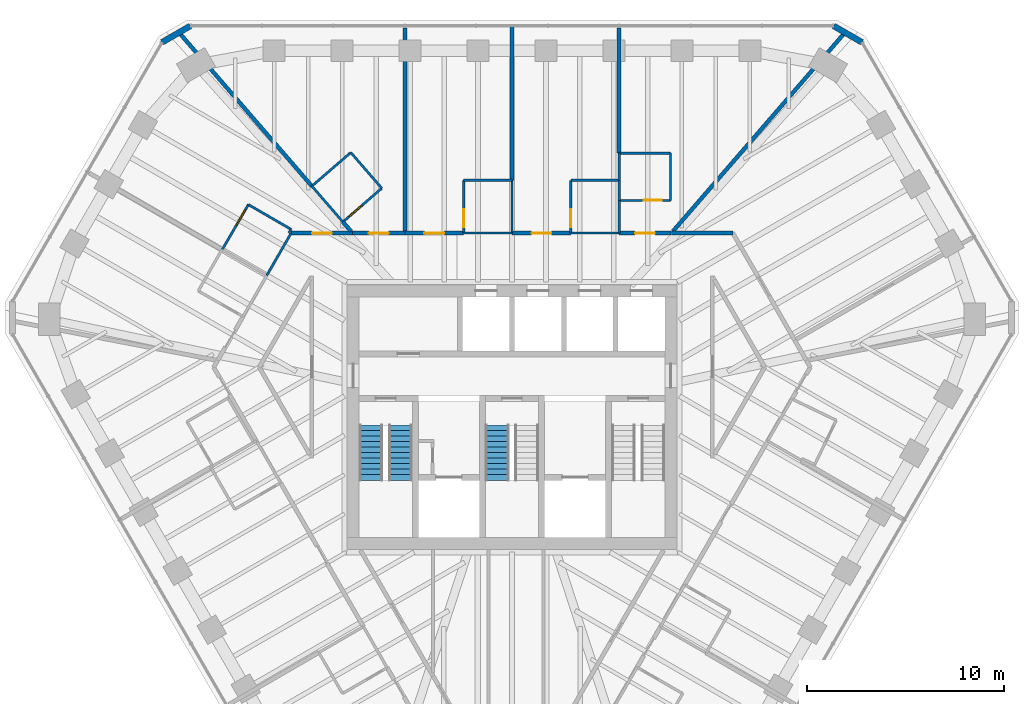
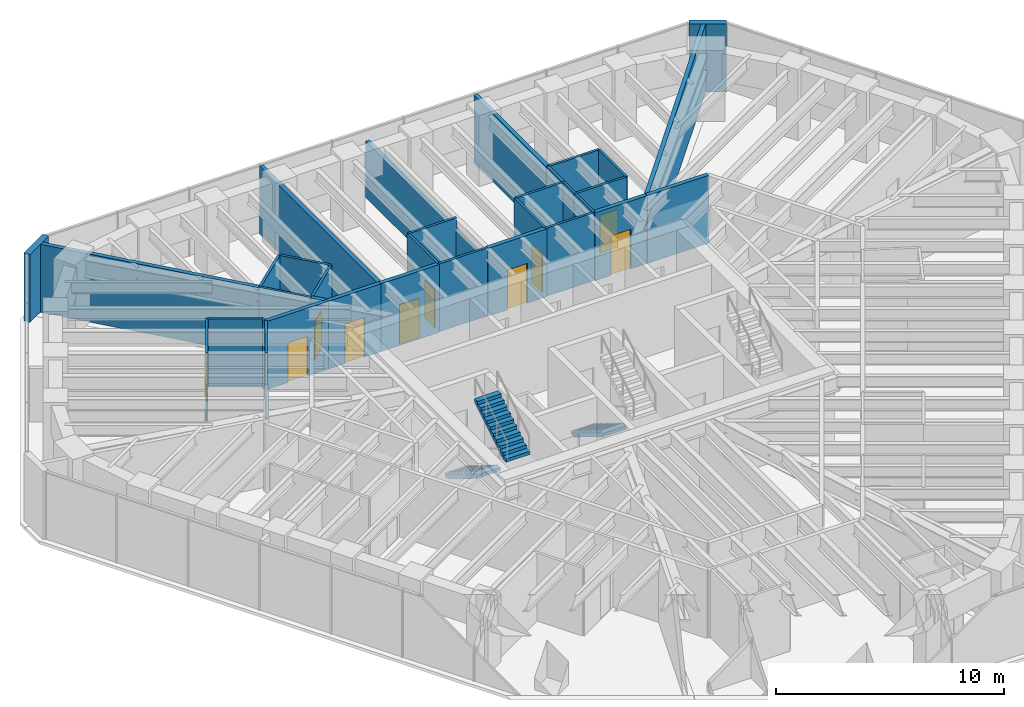
# One storey, part 12 of 14: 35 walls, 10 doors, 3 stair flights, 10 openings, 2 elements without a shape of their own.
"""IFC4 building model written with IfcOpenShell, lengths in metres."""

from ifc_helpers import new_model, si_unit, direction, frame, frame_2d, origin, place, context, subcontext, project, spatial, polyline, rectangle, outline, extrude, material, layer, layer_set, type_object, element, fill, aggregate, save


model = new_model("IFC4")

# Units and contexts
model_context = context("Model", 3, precision=1e-05, world=origin(), true_north=direction((0.0, 1.0)))
body_context = subcontext(model_context, "Body", "Model", "MODEL_VIEW")
ifc_project = project(units=[si_unit("LENGTHUNIT", "METRE"), si_unit("AREAUNIT", "SQUARE_METRE"), si_unit("VOLUMEUNIT", "CUBIC_METRE"), si_unit("PLANEANGLEUNIT", "RADIAN"), si_unit("MASSUNIT", "GRAM", prefix="KILO")], contexts=[model_context])

# Site, building, storey
site_placement = place(None, origin())
site = spatial("IfcSite", under=ifc_project, at=site_placement, CompositionType="ELEMENT")
building_placement = place(site_placement, origin())
building = spatial("IfcBuilding", under=site, at=building_placement, Name="Sandreach Pilgrim Tower", CompositionType="ELEMENT")
storey_placement = place(building_placement, frame((0.0, 0.0, 291.199951171875)))
storey = spatial("IfcBuildingStorey", under=building, at=storey_placement, Name="L73", CompositionType="ELEMENT", Elevation=291.199951171875)

# Wall, opening, door
ifc_material_1 = material(Name="Moisture-resistant gypsum board on steel studs", Category="steel")
ifc_layer_1 = layer(ifc_material_1, 0.1201171875)
ifc_layer_set_1 = layer_set([ifc_layer_1], Name="Bathroom partition 120")
wall_type_1 = type_object("IfcWallType", Name="Bathroom partition 120", PredefinedType="PARTITIONING", material=ifc_layer_set_1)
wall_1_placement = place(storey_placement, frame((-13.360107421875, 10.77001953125, 0.0), z_axis=(0.0, 0.0, 1.0), x_axis=(-0.502173326652, -0.864766991738, 0.0)))
wall_1 = element("IfcWall", 1, at=wall_1_placement, inside=storey, type_object=wall_type_1, Name="Bathroom partition L73-019", PredefinedType="PARTITIONING", context=body_context, shape_type="SweptSolid", body=[
    extrude(rectangle(XDim=2.648193359375, YDim=0.1201171875, at=frame_2d((1.32421875, 0.0))), origin(), (0.0, 0.0, 1.0), 3.64013671875),
])
opening_1_placement = place(wall_1_placement, frame((0.300048828125, 0.0, 0.0)))
opening_1 = element("IfcOpeningElement", 2, at=opening_1_placement, cuts=wall_1, Name="Opening D09-17B", PredefinedType="OPENING", context=body_context, shape_type="SweptSolid", body=[
    extrude(rectangle(XDim=0.89990234375, YDim=2.030029296875, at=frame_2d((0.449951171875, 1.01513671875))), frame((0.0, 0.06005859375, 0.0), z_axis=(0.0, -1.0, 0.0), x_axis=(1.0, 0.0, 0.0)), (0.0, 0.0, 1.0), 0.1201171875),
])
ifc_material_2 = material(Name="Timber door, steel frame", Category="steel")
door_type_1 = type_object("IfcDoorType", Name="Bathroom door", OperationType="SINGLE_SWING_LEFT", PredefinedType="DOOR", material=ifc_material_2)
door_1_placement = place(opening_1_placement, origin())
door_1 = element("IfcDoor", 3, at=door_1_placement, inside=storey, type_object=door_type_1, Name="Door 7317B", OperationType="SINGLE_SWING_LEFT", OverallHeight=2.030029296875, OverallWidth=0.89990234375, PredefinedType="DOOR", context=body_context, shape_type="SweptSolid", body=[
    extrude(rectangle(XDim=0.89990234375, YDim=2.030029296875, at=frame_2d((0.449951171875, 1.01513671875))), frame((0.0, 0.02490234375, 0.0), z_axis=(0.0, -1.0, 0.0), x_axis=(1.0, 0.0, 0.0)), (0.0, 0.0, 1.0), 0.050048828125),
])
fill(opening_1, door_1)

# Walls
wall_2_placement = place(storey_placement, frame((-12.429931640625, 7.179931640625, 0.0), z_axis=(0.0, 0.0, 1.0), x_axis=(0.499577688184, 0.866269088372, 0.0)))
element("IfcWall", 4, at=wall_2_placement, inside=storey, type_object=wall_type_1, Name="Bathroom partition L73-024", PredefinedType="PARTITIONING", context=body_context, shape_type="SweptSolid", body=[
    extrude(rectangle(XDim=2.482177734375, YDim=0.1201171875, at=frame_2d((1.2412109375, 0.0))), origin(), (0.0, 0.0, 1.0), 3.64013671875),
])
wall_3_placement = place(storey_placement, frame((-11.31005859375, 9.330078125, 0.0), z_axis=(0.0, 0.0, 1.0), x_axis=(0.501518373175, 0.865146994081, 0.0)))
element("IfcWall", 5, at=wall_3_placement, inside=storey, type_object=wall_type_1, Name="Bathroom partition L73-026", PredefinedType="PARTITIONING", context=body_context, shape_type="SweptSolid", body=[
    extrude(rectangle(XDim=0.219482421875, YDim=0.1201171875, at=frame_2d((0.10986328125, 0.0))), origin(), (0.0, 0.0, 1.0), 3.64013671875),
])
wall_4_placement = place(storey_placement, frame((-11.199951171875, 9.52001953125, 0.0), z_axis=(0.0, 0.0, 1.0), x_axis=(-0.865533423938, 0.500851167559, 0.0)))
element("IfcWall", 6, at=wall_4_placement, inside=storey, type_object=wall_type_1, Name="Bathroom partition L73-027", PredefinedType="PARTITIONING", context=body_context, shape_type="SweptSolid", body=[
    extrude(rectangle(XDim=2.495849609375, YDim=0.1201171875, at=frame_2d((1.248046875, 0.0))), origin(), (0.0, 0.0, 1.0), 3.64013671875),
])
wall_5_placement = place(storey_placement, frame((-10.142822265625, 11.70751953125, 0.0), z_axis=(0.0, 0.0, 1.0), x_axis=(0.65433095071, -0.756208309226, 0.0)))
element("IfcWall", 7, at=wall_5_placement, inside=storey, type_object=wall_type_1, Name="Bathroom partition L73-030", PredefinedType="PARTITIONING", context=body_context, shape_type="SweptSolid", body=[
    extrude(rectangle(XDim=2.403564453125, YDim=0.1201171875, at=frame_2d((1.20166015625, 0.0))), origin(), (0.0, 0.0, 1.0), 3.64013671875),
])

# Wall, opening, door
wall_6_placement = place(storey_placement, frame((-8.570068359375, 9.889892578125, 0.0), z_axis=(0.0, 0.0, 1.0), x_axis=(0.755185511235, 0.655511131576, 0.0)))
wall_6 = element("IfcWall", 8, at=wall_6_placement, inside=storey, type_object=wall_type_1, Name="Bathroom partition L73-035", PredefinedType="PARTITIONING", context=body_context, shape_type="SweptSolid", body=[
    extrude(rectangle(XDim=2.608642578125, YDim=0.1201171875, at=frame_2d((1.30419921875, 0.0))), origin(), (0.0, 0.0, 1.0), 3.64013671875),
])
opening_2_placement = place(wall_6_placement, frame((0.39990234375, 0.0, 0.0)))
opening_2 = element("IfcOpeningElement", 9, at=opening_2_placement, cuts=wall_6, Name="Opening D09-01B", PredefinedType="OPENING", context=body_context, shape_type="SweptSolid", body=[
    extrude(rectangle(XDim=0.89990234375, YDim=2.030029296875, at=frame_2d((0.449951171875, 1.01513671875))), frame((0.0, 0.06005859375, 0.0), z_axis=(0.0, -1.0, 0.0), x_axis=(1.0, 0.0, 0.0)), (0.0, 0.0, 1.0), 0.1201171875),
])
door_2_placement = place(opening_2_placement, origin())
door_2 = element("IfcDoor", 10, at=door_2_placement, inside=storey, type_object=door_type_1, Name="Door 7301B", OperationType="SINGLE_SWING_LEFT", OverallHeight=2.030029296875, OverallWidth=0.89990234375, PredefinedType="DOOR", context=body_context, shape_type="SweptSolid", body=[
    extrude(rectangle(XDim=0.89990234375, YDim=2.030029296875, at=frame_2d((0.449951171875, 1.01513671875))), frame((0.0, 0.02490234375, 0.0), z_axis=(0.0, -1.0, 0.0), x_axis=(1.0, 0.0, 0.0)), (0.0, 0.0, 1.0), 0.050048828125),
])
fill(opening_2, door_2)

# Walls
wall_7_placement = place(storey_placement, frame((-8.169921875, 13.409912109375, 0.0), z_axis=(0.0, 0.0, 1.0), x_axis=(-0.757086659925, -0.653314464377, 0.0)))
element("IfcWall", 11, at=wall_7_placement, inside=storey, type_object=wall_type_1, Name="Bathroom partition L73-037", PredefinedType="PARTITIONING", context=body_context, shape_type="SweptSolid", body=[
    extrude(rectangle(XDim=2.60205078125, YDim=0.1201171875, at=frame_2d((1.301025390625, 0.0))), origin(), (0.0, 0.0, 1.0), 3.64013671875),
])
wall_8_placement = place(storey_placement, frame((-6.60009765625, 11.60009765625, 0.0), z_axis=(0.0, 0.0, 1.0), x_axis=(-0.655244729861, 0.755416669123, 0.0)))
element("IfcWall", 12, at=wall_8_placement, inside=storey, type_object=wall_type_1, Name="Bathroom partition L73-040", PredefinedType="PARTITIONING", context=body_context, shape_type="SweptSolid", body=[
    extrude(rectangle(XDim=2.395751953125, YDim=0.1201171875, at=frame_2d((1.19775390625, 0.0))), origin(), (0.0, 0.0, 1.0), 3.64013671875),
])

# Wall, opening, door
wall_9_placement = place(storey_placement, frame((-2.449951171875, 12.0, 0.0), z_axis=(0.0, 0.0, 1.0), x_axis=(0.0, -1.0, 0.0)))
wall_9 = element("IfcWall", 13, at=wall_9_placement, inside=storey, type_object=wall_type_1, Name="Bathroom partition L73-059", PredefinedType="PARTITIONING", context=body_context, shape_type="SweptSolid", body=[
    extrude(rectangle(XDim=2.669921875, YDim=0.1201171875, at=frame_2d((1.3349609375, 0.0))), origin(), (0.0, 0.0, 1.0), 3.64013671875),
])
opening_3_placement = place(wall_9_placement, frame((1.469970703125, 0.0, 0.0)))
opening_3 = element("IfcOpeningElement", 14, at=opening_3_placement, cuts=wall_9, Name="Opening D09-02B", PredefinedType="OPENING", context=body_context, shape_type="SweptSolid", body=[
    extrude(rectangle(XDim=0.89990234375, YDim=2.030029296875, at=frame_2d((0.449951171875, 1.01513671875))), frame((0.0, 0.06005859375, 0.0), z_axis=(0.0, -1.0, 0.0), x_axis=(1.0, 0.0, 0.0)), (0.0, 0.0, 1.0), 0.1201171875),
])
door_3_placement = place(opening_3_placement, origin())
door_3 = element("IfcDoor", 15, at=door_3_placement, inside=storey, type_object=door_type_1, Name="Door 7302B", OperationType="SINGLE_SWING_RIGHT", OverallHeight=2.030029296875, OverallWidth=0.89990234375, PredefinedType="DOOR", context=body_context, shape_type="SweptSolid", body=[
    extrude(rectangle(XDim=0.89990234375, YDim=2.030029296875, at=frame_2d((0.449951171875, 1.01513671875))), frame((0.0, 0.02490234375, 0.0), z_axis=(0.0, -1.0, 0.0), x_axis=(1.0, 0.0, 0.0)), (0.0, 0.0, 1.0), 0.050048828125),
])
fill(opening_3, door_3)

# Walls
for number, where, z_axis, x_axis, name in (
    (16, (0.0, 9.330078125, 0.0), (0.0, 0.0, 1.0), (-1.0, 0.0, 0.0), "Bathroom partition L73-064"),
    (17, (0.0, 12.0, 0.0), (0.0, 0.0, 1.0), (-1.0, 0.0, 0.0), "Bathroom partition L73-065"),
):
    element("IfcWall", number, at=place(storey_placement, frame(where, z_axis=z_axis, x_axis=x_axis)), inside=storey, type_object=wall_type_1, Name=name, PredefinedType="PARTITIONING", context=body_context, shape_type="SweptSolid", body=[
        extrude(rectangle(XDim=2.449951171875, YDim=0.1201171875, at=frame_2d((1.22509765625, 0.0))), origin(), (0.0, 0.0, 1.0), 3.64013671875),
    ])
wall_10_placement = place(storey_placement, frame((0.0, 12.0, 0.0), z_axis=(0.0, 0.0, 1.0), x_axis=(0.0, -1.0, 0.0)))
element("IfcWall", 18, at=wall_10_placement, inside=storey, type_object=wall_type_1, Name="Bathroom partition L73-066", PredefinedType="PARTITIONING", context=body_context, shape_type="SweptSolid", body=[
    extrude(rectangle(XDim=2.669921875, YDim=0.1201171875, at=frame_2d((1.3349609375, 0.0))), origin(), (0.0, 0.0, 1.0), 3.02294921875),
])

# Wall, opening, door
wall_11_placement = place(storey_placement, frame((2.97998046875, 12.0, 0.0), z_axis=(0.0, 0.0, 1.0), x_axis=(0.0, -1.0, 0.0)))
wall_11 = element("IfcWall", 19, at=wall_11_placement, inside=storey, type_object=wall_type_1, Name="Bathroom partition L73-072", PredefinedType="PARTITIONING", context=body_context, shape_type="SweptSolid", body=[
    extrude(rectangle(XDim=2.669921875, YDim=0.1201171875, at=frame_2d((1.3349609375, 0.0))), origin(), (0.0, 0.0, 1.0), 3.64013671875),
])
opening_4_placement = place(wall_11_placement, frame((1.469970703125, 0.0, 0.0)))
opening_4 = element("IfcOpeningElement", 20, at=opening_4_placement, cuts=wall_11, Name="Opening D09-03B", PredefinedType="OPENING", context=body_context, shape_type="SweptSolid", body=[
    extrude(rectangle(XDim=0.89990234375, YDim=2.030029296875, at=frame_2d((0.449951171875, 1.01513671875))), frame((0.0, 0.06005859375, 0.0), z_axis=(0.0, -1.0, 0.0), x_axis=(1.0, 0.0, 0.0)), (0.0, 0.0, 1.0), 0.1201171875),
])
door_4_placement = place(opening_4_placement, origin())
door_4 = element("IfcDoor", 21, at=door_4_placement, inside=storey, type_object=door_type_1, Name="Door 7303B", OperationType="SINGLE_SWING_RIGHT", OverallHeight=2.030029296875, OverallWidth=0.89990234375, PredefinedType="DOOR", context=body_context, shape_type="SweptSolid", body=[
    extrude(rectangle(XDim=0.89990234375, YDim=2.030029296875, at=frame_2d((0.449951171875, 1.01513671875))), frame((0.0, 0.02490234375, 0.0), z_axis=(0.0, -1.0, 0.0), x_axis=(1.0, 0.0, 0.0)), (0.0, 0.0, 1.0), 0.050048828125),
])
fill(opening_4, door_4)

# Walls
wall_12_placement = place(storey_placement, frame((5.429931640625, 9.330078125, 0.0), z_axis=(0.0, 0.0, 1.0), x_axis=(-1.0, 0.0, 0.0)))
element("IfcWall", 22, at=wall_12_placement, inside=storey, type_object=wall_type_1, Name="Bathroom partition L73-081", PredefinedType="PARTITIONING", context=body_context, shape_type="SweptSolid", body=[
    extrude(rectangle(XDim=2.449951171875, YDim=0.1201171875, at=frame_2d((1.22509765625, 0.0))), origin(), (0.0, 0.0, 1.0), 3.64013671875),
])
wall_13_placement = place(storey_placement, frame((5.429931640625, 10.97998046875, 0.0), z_axis=(0.0, 0.0, 1.0), x_axis=(0.0, -1.0, 0.0)))
element("IfcWall", 23, at=wall_13_placement, inside=storey, type_object=wall_type_1, Name="Bathroom partition L73-082", PredefinedType="PARTITIONING", context=body_context, shape_type="SweptSolid", body=[
    extrude(rectangle(XDim=1.64990234375, YDim=0.1201171875, at=frame_2d((0.824951171875, 0.0))), origin(), (0.0, 0.0, 1.0), 3.64013671875),
])

# Wall, opening, door
wall_14_placement = place(storey_placement, frame((5.429931640625, 10.97998046875, 0.0), z_axis=(0.0, 0.0, 1.0), x_axis=(1.0, 0.0, 0.0)))
wall_14 = element("IfcWall", 24, at=wall_14_placement, inside=storey, type_object=wall_type_1, Name="Bathroom partition L73-083", PredefinedType="PARTITIONING", context=body_context, shape_type="SweptSolid", body=[
    extrude(rectangle(XDim=2.60009765625, YDim=0.1201171875, at=frame_2d((1.300048828125, 0.0))), origin(), (0.0, 0.0, 1.0), 3.64013671875),
])
opening_5_placement = place(wall_14_placement, frame((1.25, 0.0, 0.0)))
opening_5 = element("IfcOpeningElement", 25, at=opening_5_placement, cuts=wall_14, Name="Opening D09-04B", PredefinedType="OPENING", context=body_context, shape_type="SweptSolid", body=[
    extrude(rectangle(XDim=0.89990234375, YDim=2.030029296875, at=frame_2d((0.449951171875, 1.01513671875))), frame((0.0, 0.06005859375, 0.0), z_axis=(0.0, -1.0, 0.0), x_axis=(1.0, 0.0, 0.0)), (0.0, 0.0, 1.0), 0.1201171875),
])
door_5_placement = place(opening_5_placement, origin())
door_5 = element("IfcDoor", 26, at=door_5_placement, inside=storey, type_object=door_type_1, Name="Door 7304B", OperationType="SINGLE_SWING_RIGHT", OverallHeight=2.030029296875, OverallWidth=0.89990234375, PredefinedType="DOOR", context=body_context, shape_type="SweptSolid", body=[
    extrude(rectangle(XDim=0.89990234375, YDim=2.030029296875, at=frame_2d((0.449951171875, 1.01513671875))), frame((0.0, 0.02490234375, 0.0), z_axis=(0.0, -1.0, 0.0), x_axis=(1.0, 0.0, 0.0)), (0.0, 0.0, 1.0), 0.050048828125),
])
fill(opening_5, door_5)

# Walls
wall_15_placement = place(storey_placement, frame((5.429931640625, 12.0, 0.0), z_axis=(0.0, 0.0, 1.0), x_axis=(-1.0, 0.0, 0.0)))
element("IfcWall", 27, at=wall_15_placement, inside=storey, type_object=wall_type_1, Name="Bathroom partition L73-084", PredefinedType="PARTITIONING", context=body_context, shape_type="SweptSolid", body=[
    extrude(rectangle(XDim=2.449951171875, YDim=0.1201171875, at=frame_2d((1.22509765625, 0.0))), origin(), (0.0, 0.0, 1.0), 3.64013671875),
])
wall_16_placement = place(storey_placement, frame((5.429931640625, 12.0, 0.0), z_axis=(0.0, 0.0, 1.0), x_axis=(0.0, -1.0, 0.0)))
element("IfcWall", 28, at=wall_16_placement, inside=storey, type_object=wall_type_1, Name="Bathroom partition L73-085", PredefinedType="PARTITIONING", context=body_context, shape_type="SweptSolid", body=[
    extrude(rectangle(XDim=1.02001953125, YDim=0.1201171875, at=frame_2d((0.510009765625, 0.0))), origin(), (0.0, 0.0, 1.0), 3.64013671875),
])
wall_17_placement = place(storey_placement, frame((5.429931640625, 13.3798828125, 0.0), z_axis=(0.0, 0.0, 1.0), x_axis=(0.0, -1.0, 0.0)))
element("IfcWall", 29, at=wall_17_placement, inside=storey, type_object=wall_type_1, Name="Bathroom partition L73-086", PredefinedType="PARTITIONING", context=body_context, shape_type="SweptSolid", body=[
    extrude(rectangle(XDim=1.3798828125, YDim=0.1201171875, at=frame_2d((0.68994140625, 0.0))), origin(), (0.0, 0.0, 1.0), 3.64013671875),
])
wall_18_placement = place(storey_placement, frame((8.030029296875, 10.97998046875, 0.0), z_axis=(0.0, 0.0, 1.0), x_axis=(0.0, 1.0, 0.0)))
element("IfcWall", 30, at=wall_18_placement, inside=storey, type_object=wall_type_1, Name="Bathroom partition L73-095", PredefinedType="PARTITIONING", context=body_context, shape_type="SweptSolid", body=[
    extrude(rectangle(XDim=2.39990234375, YDim=0.1201171875, at=frame_2d((1.199951171875, 0.0))), origin(), (0.0, 0.0, 1.0), 3.64013671875),
])
wall_19_placement = place(storey_placement, frame((8.030029296875, 13.3798828125, 0.0), z_axis=(0.0, 0.0, 1.0), x_axis=(-1.0, 0.0, 0.0)))
element("IfcWall", 31, at=wall_19_placement, inside=storey, type_object=wall_type_1, Name="Bathroom partition L73-096", PredefinedType="PARTITIONING", context=body_context, shape_type="SweptSolid", body=[
    extrude(rectangle(XDim=2.60009765625, YDim=0.1201171875, at=frame_2d((1.300048828125, 0.0))), origin(), (0.0, 0.0, 1.0), 3.64013671875),
])

# Wall, opening, door
ifc_material_3 = material(Name="Gypsum board on steel studs, two layers each side", Category="steel")
ifc_layer_2 = layer(ifc_material_3, 0.199951171875)
ifc_layer_set_2 = layer_set([ifc_layer_2], Name="Corridor wall 200")
wall_type_2 = type_object("IfcWallType", Name="Corridor wall 200", PredefinedType="PARTITIONING", material=ifc_layer_set_2)
wall_20_placement = place(storey_placement, frame((-8.080078125, 9.330078125, 0.0), z_axis=(0.0, 0.0, 1.0), x_axis=(-1.0, 0.0, 0.0)))
wall_20 = element("IfcWall", 32, at=wall_20_placement, inside=storey, type_object=wall_type_2, Name="Corridor wall L73-038", PredefinedType="PARTITIONING", context=body_context, shape_type="SweptSolid", body=[
    extrude(rectangle(XDim=3.10986328125, YDim=0.199951171875, at=frame_2d((1.554931640625, 0.0))), origin(), (0.0, 0.0, 1.0), 3.64013671875),
])
opening_6_placement = place(wall_20_placement, frame((1.054931640625, 0.0, 0.0)))
opening_6 = element("IfcOpeningElement", 33, at=opening_6_placement, cuts=wall_20, Name="Opening D10-17", PredefinedType="OPENING", context=body_context, shape_type="SweptSolid", body=[
    extrude(rectangle(XDim=1.0, YDim=2.1298828125, at=frame_2d((0.5, 1.06494140625))), frame((0.0, 0.10009765625, 0.0), z_axis=(0.0, -1.0, 0.0), x_axis=(1.0, 0.0, 0.0)), (0.0, 0.0, 1.0), 0.199951171875),
])
ifc_material_4 = material(Name="Steel door and frame", Category="steel")
door_type_2 = type_object("IfcDoorType", Name="Guest room entry door", OperationType="SINGLE_SWING_LEFT", PredefinedType="DOOR", material=ifc_material_4)
door_6_placement = place(opening_6_placement, origin())
door_6 = element("IfcDoor", 34, at=door_6_placement, inside=storey, type_object=door_type_2, Name="Door 7317", OperationType="SINGLE_SWING_LEFT", OverallHeight=2.1298828125, OverallWidth=1.0, PredefinedType="DOOR", context=body_context, shape_type="SweptSolid", body=[
    extrude(rectangle(XDim=1.0, YDim=2.1298828125, at=frame_2d((0.5, 1.06494140625))), frame((0.0, 0.02490234375, 0.0), z_axis=(0.0, -1.0, 0.0), x_axis=(1.0, 0.0, 0.0)), (0.0, 0.0, 1.0), 0.050048828125),
])
fill(opening_6, door_6)

wall_21_placement = place(storey_placement, frame((-5.429931640625, 9.330078125, 0.0), z_axis=(0.0, 0.0, 1.0), x_axis=(-1.0, 0.0, 0.0)))
wall_21 = element("IfcWall", 35, at=wall_21_placement, inside=storey, type_object=wall_type_2, Name="Corridor wall L73-044", PredefinedType="PARTITIONING", context=body_context, shape_type="SweptSolid", body=[
    extrude(rectangle(XDim=2.650146484375, YDim=0.199951171875, at=frame_2d((1.3251953125, 0.0))), origin(), (0.0, 0.0, 1.0), 3.64013671875),
])
opening_7_placement = place(wall_21_placement, frame((0.824951171875, 0.0, 0.0)))
opening_7 = element("IfcOpeningElement", 36, at=opening_7_placement, cuts=wall_21, Name="Opening D10-01", PredefinedType="OPENING", context=body_context, shape_type="SweptSolid", body=[
    extrude(rectangle(XDim=1.0, YDim=2.1298828125, at=frame_2d((0.5, 1.06494140625))), frame((0.0, 0.10009765625, 0.0), z_axis=(0.0, -1.0, 0.0), x_axis=(1.0, 0.0, 0.0)), (0.0, 0.0, 1.0), 0.199951171875),
])
door_7_placement = place(opening_7_placement, origin())
door_7 = element("IfcDoor", 37, at=door_7_placement, inside=storey, type_object=door_type_2, Name="Door 7301", OperationType="SINGLE_SWING_LEFT", OverallHeight=2.1298828125, OverallWidth=1.0, PredefinedType="DOOR", context=body_context, shape_type="SweptSolid", body=[
    extrude(rectangle(XDim=1.0, YDim=2.1298828125, at=frame_2d((0.5, 1.06494140625))), frame((0.0, 0.02490234375, 0.0), z_axis=(0.0, -1.0, 0.0), x_axis=(1.0, 0.0, 0.0)), (0.0, 0.0, 1.0), 0.050048828125),
])
fill(opening_7, door_7)

wall_22_placement = place(storey_placement, frame((-5.429931640625, 9.330078125, 0.0), z_axis=(0.0, 0.0, 1.0), x_axis=(1.0, 0.0, 0.0)))
wall_22 = element("IfcWall", 38, at=wall_22_placement, inside=storey, type_object=wall_type_2, Name="Corridor wall L73-045", PredefinedType="PARTITIONING", context=body_context, shape_type="SweptSolid", body=[
    extrude(rectangle(XDim=2.97998046875, YDim=0.199951171875, at=frame_2d((1.489990234375, 0.0))), origin(), (0.0, 0.0, 1.0), 3.64013671875),
])
opening_8_placement = place(wall_22_placement, frame((0.989990234375, 0.0, 0.0)))
opening_8 = element("IfcOpeningElement", 39, at=opening_8_placement, cuts=wall_22, Name="Opening D10-02", PredefinedType="OPENING", context=body_context, shape_type="SweptSolid", body=[
    extrude(rectangle(XDim=1.0, YDim=2.1298828125, at=frame_2d((0.5, 1.06494140625))), frame((0.0, 0.10009765625, 0.0), z_axis=(0.0, -1.0, 0.0), x_axis=(1.0, 0.0, 0.0)), (0.0, 0.0, 1.0), 0.199951171875),
])
door_8_placement = place(opening_8_placement, origin())
door_8 = element("IfcDoor", 40, at=door_8_placement, inside=storey, type_object=door_type_2, Name="Door 7302", OperationType="SINGLE_SWING_LEFT", OverallHeight=2.1298828125, OverallWidth=1.0, PredefinedType="DOOR", context=body_context, shape_type="SweptSolid", body=[
    extrude(rectangle(XDim=1.0, YDim=2.1298828125, at=frame_2d((0.5, 1.06494140625))), frame((0.0, 0.02490234375, 0.0), z_axis=(0.0, -1.0, 0.0), x_axis=(1.0, 0.0, 0.0)), (0.0, 0.0, 1.0), 0.050048828125),
])
fill(opening_8, door_8)

wall_23_placement = place(storey_placement, frame((2.97998046875, 9.330078125, 0.0), z_axis=(0.0, 0.0, 1.0), x_axis=(-1.0, 0.0, 0.0)))
wall_23 = element("IfcWall", 41, at=wall_23_placement, inside=storey, type_object=wall_type_2, Name="Corridor wall L73-071", PredefinedType="PARTITIONING", context=body_context, shape_type="SweptSolid", body=[
    extrude(rectangle(XDim=2.97998046875, YDim=0.199951171875, at=frame_2d((1.489990234375, 0.0))), origin(), (0.0, 0.0, 1.0), 3.64013671875),
])
opening_9_placement = place(wall_23_placement, frame((0.989990234375, 0.0, 0.0)))
opening_9 = element("IfcOpeningElement", 42, at=opening_9_placement, cuts=wall_23, Name="Opening D10-03", PredefinedType="OPENING", context=body_context, shape_type="SweptSolid", body=[
    extrude(rectangle(XDim=1.0, YDim=2.1298828125, at=frame_2d((0.5, 1.06494140625))), frame((0.0, 0.10009765625, 0.0), z_axis=(0.0, -1.0, 0.0), x_axis=(1.0, 0.0, 0.0)), (0.0, 0.0, 1.0), 0.199951171875),
])
door_9_placement = place(opening_9_placement, origin())
door_9 = element("IfcDoor", 43, at=door_9_placement, inside=storey, type_object=door_type_2, Name="Door 7303", OperationType="SINGLE_SWING_LEFT", OverallHeight=2.1298828125, OverallWidth=1.0, PredefinedType="DOOR", context=body_context, shape_type="SweptSolid", body=[
    extrude(rectangle(XDim=1.0, YDim=2.1298828125, at=frame_2d((0.5, 1.06494140625))), frame((0.0, 0.02490234375, 0.0), z_axis=(0.0, -1.0, 0.0), x_axis=(1.0, 0.0, 0.0)), (0.0, 0.0, 1.0), 0.050048828125),
])
fill(opening_9, door_9)

wall_24_placement = place(storey_placement, frame((8.050048828125, 9.330078125, 0.0), z_axis=(0.0, 0.0, 1.0), x_axis=(-1.0, 0.0, 0.0)))
wall_24 = element("IfcWall", 44, at=wall_24_placement, inside=storey, type_object=wall_type_2, Name="Corridor wall L73-097", PredefinedType="PARTITIONING", context=body_context, shape_type="SweptSolid", body=[
    extrude(rectangle(XDim=2.6201171875, YDim=0.199951171875, at=frame_2d((1.31005859375, 0.0))), origin(), (0.0, 0.0, 1.0), 3.64013671875),
])
opening_10_placement = place(wall_24_placement, frame((0.81005859375, 0.0, 0.0)))
opening_10 = element("IfcOpeningElement", 45, at=opening_10_placement, cuts=wall_24, Name="Opening D10-04", PredefinedType="OPENING", context=body_context, shape_type="SweptSolid", body=[
    extrude(rectangle(XDim=1.0, YDim=2.1298828125, at=frame_2d((0.5, 1.06494140625))), frame((0.0, 0.10009765625, 0.0), z_axis=(0.0, -1.0, 0.0), x_axis=(1.0, 0.0, 0.0)), (0.0, 0.0, 1.0), 0.199951171875),
])
door_10_placement = place(opening_10_placement, origin())
door_10 = element("IfcDoor", 46, at=door_10_placement, inside=storey, type_object=door_type_2, Name="Door 7304", OperationType="SINGLE_SWING_LEFT", OverallHeight=2.1298828125, OverallWidth=1.0, PredefinedType="DOOR", context=body_context, shape_type="SweptSolid", body=[
    extrude(rectangle(XDim=1.0, YDim=2.1298828125, at=frame_2d((0.5, 1.06494140625))), frame((0.0, 0.02490234375, 0.0), z_axis=(0.0, -1.0, 0.0), x_axis=(1.0, 0.0, 0.0)), (0.0, 0.0, 1.0), 0.050048828125),
])
fill(opening_10, door_10)

# Walls
wall_25_placement = place(storey_placement, frame((11.18994140625, 9.330078125, 0.0), z_axis=(0.0, 0.0, 1.0), x_axis=(-1.0, 0.0, 0.0)))
element("IfcWall", 47, at=wall_25_placement, inside=storey, type_object=wall_type_2, Name="Corridor wall L73-105", PredefinedType="PARTITIONING", context=body_context, shape_type="SweptSolid", body=[
    extrude(rectangle(XDim=3.10986328125, YDim=0.199951171875, at=frame_2d((1.554931640625, 0.0))), origin(), (0.0, 0.0, 1.0), 3.64013671875),
])
ifc_material_5 = material(Name="Double steel stud acoustic wall, gypsum board", Category="steel")
ifc_layer_3 = layer(ifc_material_5, 0.199951171875)
ifc_layer_set_3 = layer_set([ifc_layer_3], Name="Party wall 200")
wall_type_3 = type_object("IfcWallType", Name="Party wall 200", PredefinedType="PARTITIONING", material=ifc_layer_set_3)
wall_26_placement = place(storey_placement, frame((-16.890380859375, 19.50732421875, 0.0), z_axis=(0.0, 0.0, 1.0), x_axis=(0.654250750888, -0.756277696989, 0.0)))
element("IfcWall", 48, at=wall_26_placement, inside=storey, type_object=wall_type_3, Name="Party wall L73-004", PredefinedType="PARTITIONING", context=body_context, shape_type="SweptSolid", body=[
    extrude(rectangle(XDim=10.3134765625, YDim=0.199951171875, at=frame_2d((5.15673828125, 0.0))), origin(), (0.0, 0.0, 1.0), 3.64013671875),
])
wall_27_placement = place(storey_placement, frame((-8.570068359375, 9.889892578125, 0.0), z_axis=(0.0, 0.0, 1.0), x_axis=(0.658587029901, -0.752504567459, 0.0)))
element("IfcWall", 49, at=wall_27_placement, inside=storey, type_object=wall_type_3, Name="Party wall L73-034", PredefinedType="PARTITIONING", context=body_context, shape_type="SweptSolid", body=[
    extrude(rectangle(XDim=0.629150390625, YDim=0.199951171875, at=frame_2d((0.314453125, 0.0))), origin(), (0.0, 0.0, 1.0), 3.64013671875),
])
wall_28_placement = place(storey_placement, frame((-5.429931640625, 19.7099609375, 0.0), z_axis=(0.0, 0.0, 1.0), x_axis=(0.0, -1.0, 0.0)))
element("IfcWall", 50, at=wall_28_placement, inside=storey, type_object=wall_type_3, Name="Party wall L73-046", PredefinedType="PARTITIONING", context=body_context, shape_type="SweptSolid", body=[
    extrude(rectangle(XDim=10.364990234375, YDim=0.199951171875, at=frame_2d((5.1826171875, 0.0))), origin(), (0.0, 0.0, 1.0), 3.64013671875),
])
wall_29_placement = place(storey_placement, frame((0.0, 19.800048828125, 0.0), z_axis=(0.0, 0.0, 1.0), x_axis=(0.0, -1.0, 0.0)))
element("IfcWall", 51, at=wall_29_placement, inside=storey, type_object=wall_type_3, Name="Party wall L73-067", PredefinedType="PARTITIONING", context=body_context, shape_type="SweptSolid", body=[
    extrude(rectangle(XDim=7.800048828125, YDim=0.199951171875, at=frame_2d((3.89990234375, 0.0))), origin(), (0.0, 0.0, 1.0), 3.02294921875),
])
wall_30_placement = place(storey_placement, frame((5.429931640625, 19.7099609375, 0.0), z_axis=(0.0, 0.0, 1.0), x_axis=(0.0, -1.0, 0.0)))
element("IfcWall", 52, at=wall_30_placement, inside=storey, type_object=wall_type_3, Name="Party wall L73-087", PredefinedType="PARTITIONING", context=body_context, shape_type="SweptSolid", body=[
    extrude(rectangle(XDim=6.330078125, YDim=0.199951171875, at=frame_2d((3.1650390625, 0.0))), origin(), (0.0, 0.0, 1.0), 3.64013671875),
])
wall_31_placement = place(storey_placement, frame((16.890380859375, 19.50732421875, 0.0), z_axis=(0.0, 0.0, 1.0), x_axis=(-0.654509091565, -0.756054131037, 0.0)))
element("IfcWall", 53, at=wall_31_placement, inside=storey, type_object=wall_type_3, Name="Party wall L73-118", PredefinedType="PARTITIONING", context=body_context, shape_type="SweptSolid", body=[
    extrude(rectangle(XDim=13.345947265625, YDim=0.199951171875, at=frame_2d((6.6728515625, 0.0))), origin(), (0.0, 0.0, 1.0), 3.64013671875),
])
ifc_material_6 = material(Name="Terracotta rainscreen on concrete", Category="masonry")
ifc_layer_4 = layer(ifc_material_6, 0.300048828125)
ifc_layer_set_4 = layer_set([ifc_layer_4], Name="Terracotta chamfer pier")
wall_type_4 = type_object("IfcWallType", Name="Terracotta chamfer pier", PredefinedType="SOLIDWALL", material=ifc_layer_set_4)
for number, where, z_axis, x_axis, name in (
    (54, (16.29833984375, 19.826416015625, 0.0), (0.0, 0.0, 1.0), (0.866026405774, -0.499998264499, 0.0), "Chamfer pier L73 N"),
    (55, (-17.736083984375, 18.996337890625, 0.0), (0.0, 0.0, 1.0), (0.866026405774, 0.499998264499, 0.0), "Chamfer pier L73 NW"),
):
    element("IfcWall", number, at=place(storey_placement, frame(where, z_axis=z_axis, x_axis=x_axis)), inside=storey, type_object=wall_type_4, Name=name, PredefinedType="SOLIDWALL", context=body_context, shape_type="SweptSolid", body=[
        extrude(rectangle(XDim=1.66015625, YDim=0.300048828125, at=frame_2d((0.830078125, 0.0))), origin(), (0.0, 0.0, 1.0), 3.64013671875),
    ])

# Stair, stair flights
ifc_material_7 = material(Name="Concrete 8000 psi", Category="concrete")
stair_type = type_object("IfcStairType", Name="Core exit stair", PredefinedType="HALF_TURN_STAIR", material=ifc_material_7)
stair_1_placement = place(storey_placement, origin())
stair_1 = element("IfcStair", 56, at=stair_1_placement, inside=storey, type_object=stair_type, Name="Exit stair ST1 L73", PredefinedType="HALF_TURN_STAIR")
ifc_material_8 = material(Name="Concrete 8000 psi", Category="concrete")
stair_flight_type = type_object("IfcStairFlightType", Name="Core stair flight 1200", PredefinedType="STRAIGHT", material=ifc_material_8)
stair_flight_1_placement = place(storey_placement, frame((-7.14990234375, -0.39990234375, 0.0), z_axis=(0.0, 0.0, 1.0), x_axis=(0.0, -1.0, 0.0)))
stair_flight_1 = element("IfcStairFlight", 57, at=stair_flight_1_placement, type_object=stair_flight_type, Name="ST1 flight 1", NumberOfRisers=11, NumberOfTreads=10, PredefinedType="STRAIGHT", RiserHeight=0.172727273, TreadLength=0.28, context=body_context, shape_type="SweptSolid", body=[
    extrude(outline(polyline([(0.0, 0.0), (0.0, 0.172607421875), (0.280029296875, 0.172607421875), (0.280029296875, 0.345458984375), (0.56005859375, 0.345458984375), (0.56005859375, 0.51806640625), (0.840087890625, 0.51806640625), (0.840087890625, 0.69091796875), (1.1201171875, 0.69091796875), (1.1201171875, 0.863525390625), (1.39990234375, 0.863525390625), (1.39990234375, 1.036376953125), (1.679931640625, 1.036376953125), (1.679931640625, 1.208984375), (1.9599609375, 1.208984375), (1.9599609375, 1.3818359375), (2.239990234375, 1.3818359375), (2.239990234375, 1.554443359375), (2.52001953125, 1.554443359375), (2.52001953125, 1.727294921875), (2.800048828125, 1.727294921875), (2.800048828125, 1.89990234375), (2.800048828125, 1.551025390625), (0.285400390625, 0.0), (0.0, 0.0)])), frame((0.0, 0.60009765625, 0.0), z_axis=(0.0, -1.0, 0.0), x_axis=(1.0, 0.0, 0.0)), (0.0, 0.0, 1.0), 1.199951171875),
])
stair_flight_2_placement = place(storey_placement, frame((-5.64990234375, -3.199951171875, 1.900146484375), z_axis=(0.0, 0.0, 1.0), x_axis=(0.0, 1.0, 0.0)))
stair_flight_2 = element("IfcStairFlight", 58, at=stair_flight_2_placement, type_object=stair_flight_type, Name="ST1 flight 2", NumberOfRisers=11, NumberOfTreads=10, PredefinedType="STRAIGHT", RiserHeight=0.172727273, TreadLength=0.28, context=body_context, shape_type="SweptSolid", body=[
    extrude(outline(polyline([(0.0, 0.0), (0.0, 0.172607421875), (0.280029296875, 0.172607421875), (0.280029296875, 0.345458984375), (0.56005859375, 0.345458984375), (0.56005859375, 0.51806640625), (0.840087890625, 0.51806640625), (0.840087890625, 0.69091796875), (1.1201171875, 0.69091796875), (1.1201171875, 0.863525390625), (1.39990234375, 0.863525390625), (1.39990234375, 1.036376953125), (1.679931640625, 1.036376953125), (1.679931640625, 1.208984375), (1.9599609375, 1.208984375), (1.9599609375, 1.3818359375), (2.239990234375, 1.3818359375), (2.239990234375, 1.554443359375), (2.52001953125, 1.554443359375), (2.52001953125, 1.727294921875), (2.800048828125, 1.727294921875), (2.800048828125, 1.89990234375), (2.800048828125, 1.551025390625), (0.285400390625, 0.0), (0.0, 0.0)])), frame((0.0, 0.60009765625, 0.0), z_axis=(0.0, -1.0, 0.0), x_axis=(1.0, 0.0, 0.0)), (0.0, 0.0, 1.0), 1.199951171875),
])
aggregate(stair_1, [stair_flight_1, stair_flight_2])

# Stair, stair flight
stair_2_placement = place(storey_placement, origin())
stair_2 = element("IfcStair", 59, at=stair_2_placement, inside=storey, type_object=stair_type, Name="Exit stair ST3 L73", PredefinedType="HALF_TURN_STAIR")
stair_flight_3_placement = place(storey_placement, frame((-0.75, -0.39990234375, 0.0), z_axis=(0.0, 0.0, 1.0), x_axis=(0.0, -1.0, 0.0)))
stair_flight_3 = element("IfcStairFlight", 60, at=stair_flight_3_placement, type_object=stair_flight_type, Name="ST3 flight 1", NumberOfRisers=11, NumberOfTreads=10, PredefinedType="STRAIGHT", RiserHeight=0.172727273, TreadLength=0.28, context=body_context, shape_type="SweptSolid", body=[
    extrude(outline(polyline([(0.0, 0.0), (0.0, 0.172607421875), (0.280029296875, 0.172607421875), (0.280029296875, 0.345458984375), (0.56005859375, 0.345458984375), (0.56005859375, 0.51806640625), (0.840087890625, 0.51806640625), (0.840087890625, 0.69091796875), (1.1201171875, 0.69091796875), (1.1201171875, 0.863525390625), (1.39990234375, 0.863525390625), (1.39990234375, 1.036376953125), (1.679931640625, 1.036376953125), (1.679931640625, 1.208984375), (1.9599609375, 1.208984375), (1.9599609375, 1.3818359375), (2.239990234375, 1.3818359375), (2.239990234375, 1.554443359375), (2.52001953125, 1.554443359375), (2.52001953125, 1.727294921875), (2.800048828125, 1.727294921875), (2.800048828125, 1.89990234375), (2.800048828125, 1.551025390625), (0.285400390625, 0.0), (0.0, 0.0)])), frame((0.0, 0.60009765625, 0.0), z_axis=(0.0, -1.0, 0.0), x_axis=(1.0, 0.0, 0.0)), (0.0, 0.0, 1.0), 1.199951171875),
])
aggregate(stair_2, [stair_flight_3])

save(model, "model.ifc")
